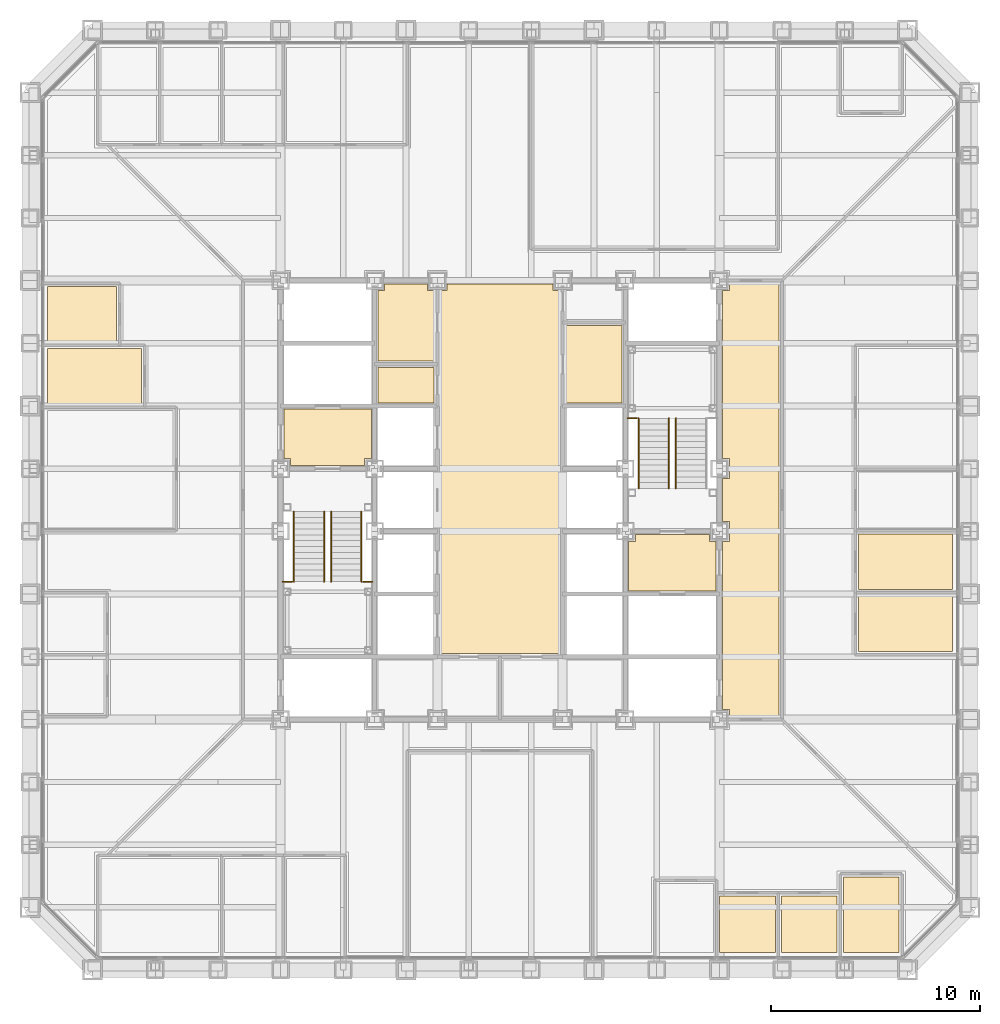
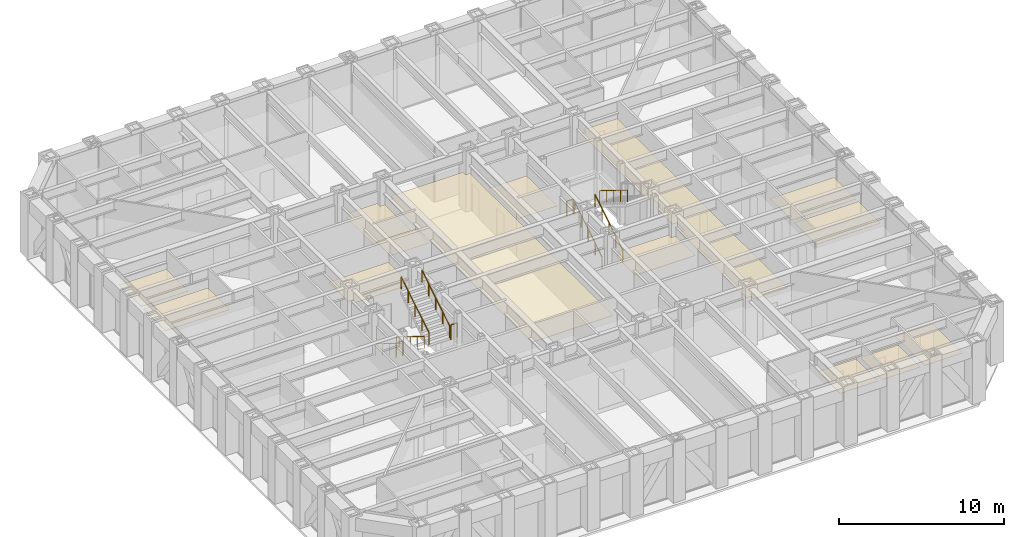
# One storey, part 15 of 17: 14 coverings, 10 railings.
"""IFC4 building model written with IfcOpenShell, lengths in metres."""

from ifc_helpers import new_model, si_unit, direction, frame, origin, origin_2d, place, context, subcontext, project, spatial, polyline, circle, outline, extrude, material, layer, layer_set, type_object, element, save


model = new_model("IFC4")

# Units and contexts
model_context = context("Model", 3, precision=1e-05, world=origin(), true_north=direction((0.0, 1.0)))
body_context = subcontext(model_context, "Body", "Model", "MODEL_VIEW")
ifc_project = project(units=[si_unit("LENGTHUNIT", "METRE"), si_unit("AREAUNIT", "SQUARE_METRE"), si_unit("VOLUMEUNIT", "CUBIC_METRE"), si_unit("PLANEANGLEUNIT", "RADIAN"), si_unit("MASSUNIT", "GRAM", prefix="KILO")], contexts=[model_context])

# Site, building, storey
site_placement = place(None, origin())
site = spatial("IfcSite", under=ifc_project, at=site_placement, CompositionType="ELEMENT")
building_placement = place(site_placement, origin())
building = spatial("IfcBuilding", under=site, at=building_placement, Name="Chuquiago Exchange Tower", CompositionType="ELEMENT")
storey_placement = place(building_placement, frame((0.0, 0.0, 91.800048828125)))
storey = spatial("IfcBuildingStorey", under=building, at=storey_placement, Name="L19", CompositionType="ELEMENT", Elevation=91.800048828125)

# Coverings
ifc_material_1 = material(Name="Mineral fibre tile, 600 x 600, on pale metal grid", Category="mineral fibre")
ifc_layer_1 = layer(ifc_material_1, 0.02001953125)
ifc_layer_set_1 = layer_set([ifc_layer_1], Name="CL1 suspended tile ceiling 20")
covering_type_1 = type_object("IfcCoveringType", Name="CL1 suspended tile ceiling 20", PredefinedType="CEILING", material=ifc_layer_set_1)
covering_1_placement = place(storey_placement, frame((0.0, 0.0, 3.0)))
element("IfcCovering", 1, at=covering_1_placement, inside=storey, type_object=covering_type_1, Name="Ceiling Focus room", PredefinedType="CEILING", context=body_context, shape_type="SweptSolid", body=[
    extrude(outline(polyline([(33.01611328125, 3.550048828125), (35.677978515625, 3.550048828125), (35.677978515625, 0.85009765625), (33.01611328125, 0.85009765625), (33.01611328125, 3.550048828125)])), origin(), (0.0, 0.0, 1.0), 0.02001953125),
])
covering_2_placement = place(storey_placement, frame((0.0, 0.0, 3.0)))
element("IfcCovering", 2, at=covering_2_placement, inside=storey, type_object=covering_type_1, Name="Ceiling Focus room", PredefinedType="CEILING", context=body_context, shape_type="SweptSolid", body=[
    extrude(outline(polyline([(35.977783203125, 3.550048828125), (38.6396484375, 3.550048828125), (38.6396484375, 0.85009765625), (35.977783203125, 0.85009765625), (35.977783203125, 3.550048828125)])), origin(), (0.0, 0.0, 1.0), 0.02001953125),
])
covering_3_placement = place(storey_placement, frame((0.0, 0.0, 3.0)))
element("IfcCovering", 3, at=covering_3_placement, inside=storey, type_object=covering_type_1, Name="Ceiling Comms room", PredefinedType="CEILING", context=body_context, shape_type="SweptSolid", body=[
    extrude(outline(polyline([(38.939697265625, 0.85009765625), (38.939697265625, 4.449951171875), (41.6015625, 4.449951171875), (41.6015625, 0.85009765625), (38.939697265625, 0.85009765625)])), origin(), (0.0, 0.0, 1.0), 0.02001953125),
])
covering_4_placement = place(storey_placement, frame((0.0, 0.0, 3.0)))
element("IfcCovering", 4, at=covering_4_placement, inside=storey, type_object=covering_type_1, Name="Ceiling Office", PredefinedType="CEILING", context=body_context, shape_type="SweptSolid", body=[
    extrude(outline(polyline([(39.64990234375, 15.24560546875), (39.64990234375, 17.907470703125), (44.14990234375, 17.907470703125), (44.14990234375, 15.24560546875), (39.64990234375, 15.24560546875)])), origin(), (0.0, 0.0, 1.0), 0.02001953125),
])
covering_5_placement = place(storey_placement, frame((0.0, 0.0, 3.0)))
element("IfcCovering", 5, at=covering_5_placement, inside=storey, type_object=covering_type_1, Name="Ceiling Office", PredefinedType="CEILING", context=body_context, shape_type="SweptSolid", body=[
    extrude(outline(polyline([(39.64990234375, 18.20751953125), (39.64990234375, 20.869140625), (44.14990234375, 20.869140625), (44.14990234375, 18.20751953125), (39.64990234375, 18.20751953125)])), origin(), (0.0, 0.0, 1.0), 0.02001953125),
])
covering_6_placement = place(storey_placement, frame((0.0, 0.0, 3.0)))
element("IfcCovering", 6, at=covering_6_placement, inside=storey, type_object=covering_type_1, Name="Ceiling Office", PredefinedType="CEILING", context=body_context, shape_type="SweptSolid", body=[
    extrude(outline(polyline([(5.35009765625, 29.75439453125), (5.35009765625, 27.092529296875), (0.85009765625, 27.092529296875), (0.85009765625, 29.75439453125), (5.35009765625, 29.75439453125)])), origin(), (0.0, 0.0, 1.0), 0.02001953125),
])
covering_7_placement = place(storey_placement, frame((0.0, 0.0, 3.0)))
element("IfcCovering", 7, at=covering_7_placement, inside=storey, type_object=covering_type_1, Name="Ceiling Pantry", PredefinedType="CEILING", context=body_context, shape_type="SweptSolid", body=[
    extrude(outline(polyline([(4.14990234375, 32.71630859375), (4.14990234375, 30.054443359375), (0.85009765625, 30.054443359375), (0.85009765625, 32.71630859375), (4.14990234375, 32.71630859375)])), origin(), (0.0, 0.0, 1.0), 0.02001953125),
])
covering_8_placement = place(storey_placement, frame((0.0, 0.0, 3.0)))
element("IfcCovering", 8, at=covering_8_placement, inside=storey, type_object=covering_type_1, Name="Ceiling Circulation corridor", PredefinedType="CEILING", context=body_context, shape_type="SweptSolid", body=[
    extrude(outline(polyline([(35.85009765625, 32.85009765625), (35.85009765625, 12.14990234375), (33.47509765625, 12.14990234375), (33.47509765625, 12.47509765625), (33.14990234375, 12.47509765625), (33.14990234375, 20.52490234375), (33.47509765625, 20.52490234375), (33.47509765625, 21.47509765625), (33.14990234375, 21.47509765625), (33.14990234375, 23.52490234375), (33.47509765625, 23.52490234375), (33.47509765625, 24.47509765625), (33.14990234375, 24.47509765625), (33.14990234375, 32.52490234375), (33.47509765625, 32.52490234375), (33.47509765625, 32.85009765625), (35.85009765625, 32.85009765625)])), origin(), (0.0, 0.0, 1.0), 0.02001953125),
])
covering_9_placement = place(storey_placement, frame((0.0, 0.0, 3.0)))
element("IfcCovering", 9, at=covering_9_placement, inside=storey, type_object=covering_type_1, Name="Ceiling First aid room", PredefinedType="CEILING", context=body_context, shape_type="SweptSolid", body=[
    extrude(outline(polyline([(16.64990234375, 27.14990234375), (16.64990234375, 28.85009765625), (19.35009765625, 28.85009765625), (19.35009765625, 27.14990234375), (16.64990234375, 27.14990234375)])), origin(), (0.0, 0.0, 1.0), 0.02001953125),
])
ifc_material_2 = material(Name="Moisture resistant plasterboard on metal frame", Category="gypsum")
ifc_layer_2 = layer(ifc_material_2, 0.014892578125)
ifc_layer_set_2 = layer_set([ifc_layer_2], Name="CL2 moisture resistant ceiling 15")
covering_type_2 = type_object("IfcCoveringType", Name="CL2 moisture resistant ceiling 15", PredefinedType="CEILING", material=ifc_layer_set_2)
covering_10_placement = place(storey_placement, frame((0.0, 0.0, 2.599853515625)))
element("IfcCovering", 10, at=covering_10_placement, inside=storey, type_object=covering_type_2, Name="Ceiling Male WC", PredefinedType="CEILING", context=body_context, shape_type="SweptSolid", body=[
    extrude(outline(polyline([(16.64990234375, 29.14990234375), (16.64990234375, 32.52490234375), (16.97509765625, 32.52490234375), (16.97509765625, 32.85009765625), (19.02490234375, 32.85009765625), (19.02490234375, 32.52490234375), (19.35009765625, 32.52490234375), (19.35009765625, 29.14990234375), (16.64990234375, 29.14990234375)])), origin(), (0.0, 0.0, 1.0), 0.01513671875),
])
covering_11_placement = place(storey_placement, frame((0.0, 0.0, 2.599853515625)))
element("IfcCovering", 11, at=covering_11_placement, inside=storey, type_object=covering_type_2, Name="Ceiling Female WC", PredefinedType="CEILING", context=body_context, shape_type="SweptSolid", body=[
    extrude(outline(polyline([(25.64990234375, 27.14990234375), (25.64990234375, 30.85009765625), (28.35009765625, 30.85009765625), (28.35009765625, 27.14990234375), (25.64990234375, 27.14990234375)])), origin(), (0.0, 0.0, 1.0), 0.01513671875),
])
ifc_material_3 = material(Name="Pale metal plank ceiling, perforated", Category="aluminium")
ifc_layer_3 = layer(ifc_material_3, 0.030029296875)
ifc_layer_set_3 = layer_set([ifc_layer_3], Name="CL3 metal plank ceiling 30")
covering_type_3 = type_object("IfcCoveringType", Name="CL3 metal plank ceiling 30", PredefinedType="CEILING", material=ifc_layer_set_3)
covering_12_placement = place(storey_placement, frame((0.0, 0.0, 2.800048828125)))
element("IfcCovering", 12, at=covering_12_placement, inside=storey, type_object=covering_type_3, Name="Ceiling Lift lobby", PredefinedType="CEILING", context=body_context, shape_type="SweptSolid", body=[
    extrude(outline(polyline([(19.64990234375, 15.14990234375), (19.64990234375, 32.52490234375), (19.97509765625, 32.52490234375), (19.97509765625, 32.85009765625), (25.02490234375, 32.85009765625), (25.02490234375, 32.52490234375), (25.35009765625, 32.52490234375), (25.35009765625, 15.14990234375), (19.64990234375, 15.14990234375)])), origin(), (0.0, 0.0, 1.0), 0.02978515625),
])
covering_13_placement = place(storey_placement, frame((0.0, 0.0, 2.800048828125)))
element("IfcCovering", 13, at=covering_13_placement, inside=storey, type_object=covering_type_3, Name="Ceiling Firefighting lobby", PredefinedType="CEILING", context=body_context, shape_type="SweptSolid", body=[
    extrude(outline(polyline([(12.47509765625, 24.14990234375), (12.47509765625, 24.47509765625), (12.14990234375, 24.47509765625), (12.14990234375, 26.85009765625), (16.35009765625, 26.85009765625), (16.35009765625, 24.47509765625), (16.02490234375, 24.47509765625), (16.02490234375, 24.14990234375), (12.47509765625, 24.14990234375)])), origin(), (0.0, 0.0, 1.0), 0.02978515625),
])
covering_14_placement = place(storey_placement, frame((0.0, 0.0, 2.800048828125)))
element("IfcCovering", 14, at=covering_14_placement, inside=storey, type_object=covering_type_3, Name="Ceiling Firefighting lobby", PredefinedType="CEILING", context=body_context, shape_type="SweptSolid", body=[
    extrude(outline(polyline([(28.64990234375, 18.14990234375), (28.64990234375, 20.52490234375), (28.97509765625, 20.52490234375), (28.97509765625, 20.85009765625), (32.52490234375, 20.85009765625), (32.52490234375, 20.52490234375), (32.85009765625, 20.52490234375), (32.85009765625, 18.14990234375), (28.64990234375, 18.14990234375)])), origin(), (0.0, 0.0, 1.0), 0.02978515625),
])

# Railings
ifc_material_4 = material(Name="Pale metal guard with safety glass infill", Category="glass")
railing_type_1 = type_object("IfcRailingType", Name="GR1 guard 1100", PredefinedType="GUARDRAIL", material=ifc_material_4)
for number, where, name in (
    (15, (12.10009765625, 18.590087890625, 2.25), "Guard ST1 L19 landing 2"),
    (16, (15.945068359375, 18.590087890625, 2.25), "Guard ST1 L19 landing 2"),
    (17, (28.60009765625, 26.409912109375, 2.25), "Guard ST2 L19 landing 2"),
):
    element("IfcRailing", number, at=place(storey_placement, frame(where)), inside=storey, type_object=railing_type_1, Name=name, PredefinedType="GUARDRAIL", context=body_context, shape_type="SweptSolid", body=[
        extrude(circle(Radius=0.02392578125, at=origin_2d()), frame((0.0, 0.0, 1.076171875), z_axis=(1.0, 0.0, 0.0), x_axis=(0.0, 1.0, 0.0)), (0.0, 0.0, 1.0), 0.454833984375),
        extrude(circle(Radius=0.02099609375, at=origin_2d()), origin(), (0.0, 0.0, 1.0), 1.052001953125),
        extrude(circle(Radius=0.02099609375, at=origin_2d()), frame((0.454833984375, 0.0, 0.0)), (0.0, 0.0, 1.0), 1.052001953125),
    ])
ifc_material_5 = material(Name="Pale metal handrail", Category="steel")
railing_type_2 = type_object("IfcRailingType", Name="HR1 handrail 900", PredefinedType="HANDRAIL", material=ifc_material_5)
for number, where, name in (
    (18, (12.635009765625, 21.949951171875, 0.173095703125), "Handrail ST1 L19 flight 1"),
    (19, (14.0849609375, 21.949951171875, 0.173095703125), "Handrail ST1 L19 flight 1"),
):
    element("IfcRailing", number, at=place(storey_placement, frame(where)), inside=storey, type_object=railing_type_2, Name=name, PredefinedType="HANDRAIL", context=body_context, shape_type="SweptSolid", body=[
        extrude(circle(Radius=0.02392578125, at=origin_2d()), frame((0.0, 0.0, 0.8759765625), z_axis=(0.0, -0.850606129759, 0.525803396734), x_axis=(1.0, 0.0, 0.0)), (0.0, 0.0, 1.0), 3.949951171875),
        extrude(circle(Radius=0.02099609375, at=origin_2d()), origin(), (0.0, 0.0, 1.0), 0.851806640625),
        extrude(circle(Radius=0.02099609375, at=origin_2d()), frame((0.0, -0.83984375, 0.519287109375)), (0.0, 0.0, 1.0), 0.851806640625),
        extrude(circle(Radius=0.02099609375, at=origin_2d()), frame((0.0, -1.679931640625, 1.03857421875)), (0.0, 0.0, 1.0), 0.851806640625),
        extrude(circle(Radius=0.02099609375, at=origin_2d()), frame((0.0, -2.52001953125, 1.5576171875)), (0.0, 0.0, 1.0), 0.851806640625),
        extrude(circle(Radius=0.02099609375, at=origin_2d()), frame((0.0, -3.35986328125, 2.076904296875)), (0.0, 0.0, 1.0), 0.851806640625),
    ])
for number, where, name in (
    (20, (15.864990234375, 18.590087890625, 2.423095703125), "Handrail ST1 L19 flight 2"),
    (21, (14.4150390625, 18.590087890625, 2.423095703125), "Handrail ST1 L19 flight 2"),
    (22, (30.5849609375, 23.050048828125, 0.173095703125), "Handrail ST2 L19 flight 1"),
    (23, (29.135009765625, 23.050048828125, 0.173095703125), "Handrail ST2 L19 flight 1"),
):
    element("IfcRailing", number, at=place(storey_placement, frame(where)), inside=storey, type_object=railing_type_2, Name=name, PredefinedType="HANDRAIL", context=body_context, shape_type="SweptSolid", body=[
        extrude(circle(Radius=0.02392578125, at=origin_2d()), frame((0.0, 0.0, 0.8759765625), z_axis=(0.0, 0.850606129759, 0.525803396734), x_axis=(-1.0, 0.0, 0.0)), (0.0, 0.0, 1.0), 3.949951171875),
        extrude(circle(Radius=0.02099609375, at=origin_2d()), origin(), (0.0, 0.0, 1.0), 0.851806640625),
        extrude(circle(Radius=0.02099609375, at=origin_2d()), frame((0.0, 0.83984375, 0.519287109375)), (0.0, 0.0, 1.0), 0.851806640625),
        extrude(circle(Radius=0.02099609375, at=origin_2d()), frame((0.0, 1.679931640625, 1.03857421875)), (0.0, 0.0, 1.0), 0.851806640625),
        extrude(circle(Radius=0.02099609375, at=origin_2d()), frame((0.0, 2.52001953125, 1.5576171875)), (0.0, 0.0, 1.0), 0.851806640625),
        extrude(circle(Radius=0.02099609375, at=origin_2d()), frame((0.0, 3.35986328125, 2.076904296875)), (0.0, 0.0, 1.0), 0.851806640625),
    ])
railing_placement = place(storey_placement, frame((30.9150390625, 26.409912109375, 2.423095703125)))
element("IfcRailing", 24, at=railing_placement, inside=storey, type_object=railing_type_2, Name="Handrail ST2 L19 flight 2", PredefinedType="HANDRAIL", context=body_context, shape_type="SweptSolid", body=[
    extrude(circle(Radius=0.02392578125, at=origin_2d()), frame((0.0, 0.0, 0.8759765625), z_axis=(0.0, -0.850606129759, 0.525803396734), x_axis=(1.0, 0.0, 0.0)), (0.0, 0.0, 1.0), 3.949951171875),
    extrude(circle(Radius=0.02099609375, at=origin_2d()), origin(), (0.0, 0.0, 1.0), 0.851806640625),
    extrude(circle(Radius=0.02099609375, at=origin_2d()), frame((0.0, -0.83984375, 0.519287109375)), (0.0, 0.0, 1.0), 0.851806640625),
    extrude(circle(Radius=0.02099609375, at=origin_2d()), frame((0.0, -1.679931640625, 1.03857421875)), (0.0, 0.0, 1.0), 0.851806640625),
    extrude(circle(Radius=0.02099609375, at=origin_2d()), frame((0.0, -2.52001953125, 1.5576171875)), (0.0, 0.0, 1.0), 0.851806640625),
    extrude(circle(Radius=0.02099609375, at=origin_2d()), frame((0.0, -3.35986328125, 2.076904296875)), (0.0, 0.0, 1.0), 0.851806640625),
])

save(model, "model.ifc")
